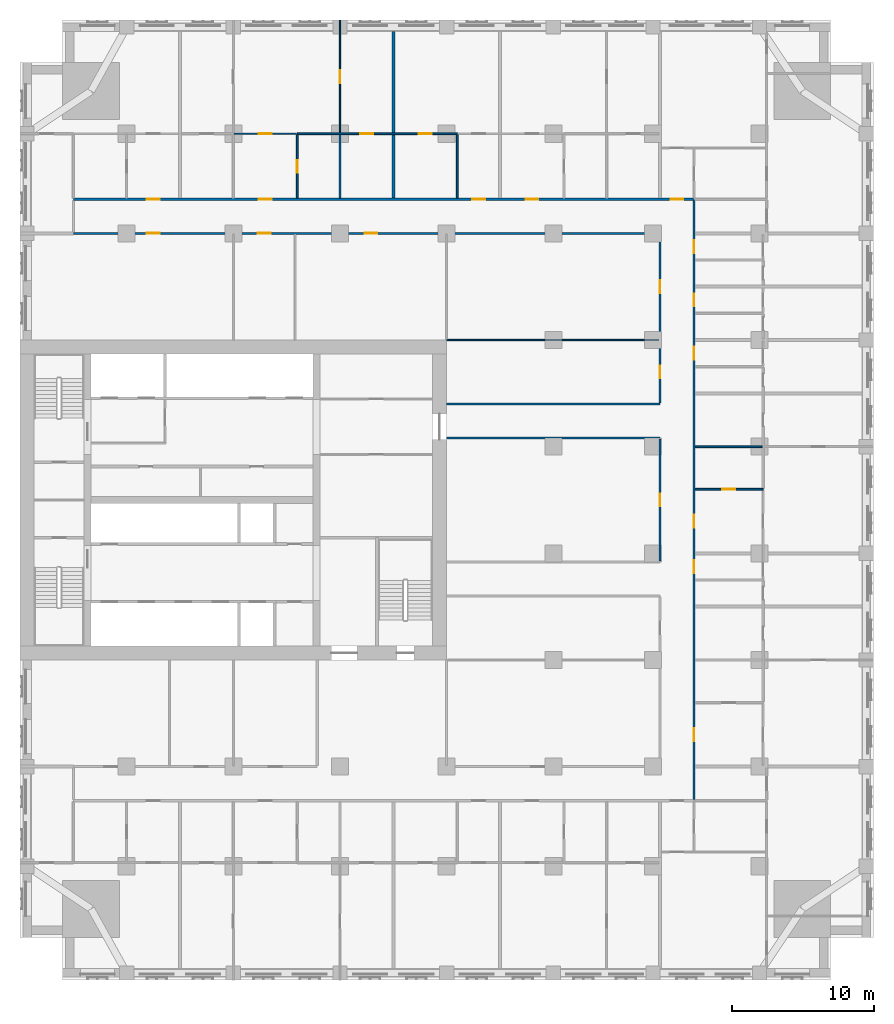
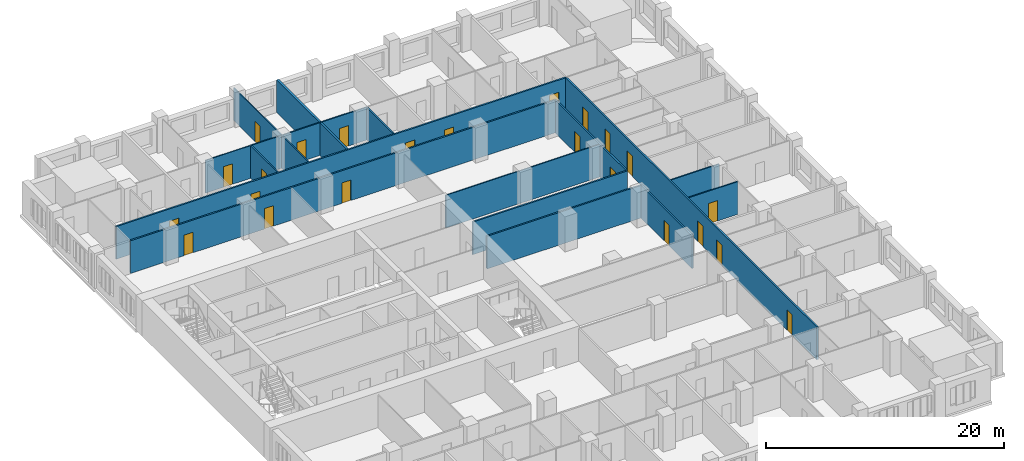
# One storey, part 9 of 14: 23 doors, 17 walls, 23 openings.
"""IFC4 building model written with IfcOpenShell, lengths in metres."""

from ifc_helpers import new_model, si_unit, direction, frame, frame_2d, origin, place, context, subcontext, project, spatial, rectangle, extrude, material, layer, layer_set, type_object, element, fill, save


model = new_model("IFC4")

# Units and contexts
model_context = context("Model", 3, precision=1e-05, world=origin(), true_north=direction((0.0, 1.0)))
body_context = subcontext(model_context, "Body", "Model", "MODEL_VIEW")
ifc_project = project(units=[si_unit("LENGTHUNIT", "METRE"), si_unit("AREAUNIT", "SQUARE_METRE"), si_unit("VOLUMEUNIT", "CUBIC_METRE"), si_unit("PLANEANGLEUNIT", "RADIAN"), si_unit("MASSUNIT", "GRAM", prefix="KILO")], contexts=[model_context])

# Site, building, storey
site_placement = place(None, origin())
site = spatial("IfcSite", under=ifc_project, at=site_placement, CompositionType="ELEMENT")
building_placement = place(site_placement, origin())
building = spatial("IfcBuilding", under=site, at=building_placement, Name="Tamorin Gate", CompositionType="ELEMENT")
storey_placement = place(building_placement, frame((0.0, 0.0, 41.199951171875)))
storey = spatial("IfcBuildingStorey", under=building, at=storey_placement, Name="L08", CompositionType="ELEMENT", Elevation=41.199951171875)

# Wall, openings, doors
ifc_material_1 = material(Name="Gypsum board partition")
ifc_layer_1 = layer(ifc_material_1, 0.14990234375)
ifc_layer_set_1 = layer_set([ifc_layer_1], Name="Corridor wall 150")
wall_type_1 = type_object("IfcWallType", Name="Corridor wall 150", PredefinedType="PARTITIONING", material=ifc_layer_set_1)
wall_1_placement = place(storey_placement, frame((33.75, 90.0, 0.0), z_axis=(0.0, 0.0, 1.0), x_axis=(1.0, 0.0, 0.0)))
wall_1 = element("IfcWall", 1, at=wall_1_placement, inside=storey, type_object=wall_type_1, Name="Corridor wall 150", PredefinedType="PARTITIONING", context=body_context, shape_type="SweptSolid", body=[
    extrude(rectangle(XDim=41.25, YDim=0.14990234375, at=frame_2d((20.625, 0.0))), origin(), (0.0, 0.0, 1.0), 3.35009765625),
])
opening_1_placement = place(wall_1_placement, frame((5.175048828125, 0.0, 0.0)))
opening_1 = element("IfcOpeningElement", 2, at=opening_1_placement, cuts=wall_1, Name="Opening DH3077", PredefinedType="OPENING", context=body_context, shape_type="SweptSolid", body=[
    extrude(rectangle(XDim=0.89990234375, YDim=2.10009765625, at=frame_2d((0.449951171875, 1.050048828125))), frame((0.0, 0.0849609375, 0.0), z_axis=(0.0, -1.0, 0.0), x_axis=(1.0, 0.0, 0.0)), (0.0, 0.0, 1.0), 0.169921875),
])
opening_2_placement = place(wall_1_placement, frame((12.97509765625, 0.0, 0.0)))
opening_2 = element("IfcOpeningElement", 3, at=opening_2_placement, cuts=wall_1, Name="Opening DH3078", PredefinedType="OPENING", context=body_context, shape_type="SweptSolid", body=[
    extrude(rectangle(XDim=0.89990234375, YDim=2.10009765625, at=frame_2d((0.449951171875, 1.050048828125))), frame((0.0, 0.0849609375, 0.0), z_axis=(0.0, -1.0, 0.0), x_axis=(1.0, 0.0, 0.0)), (0.0, 0.0, 1.0), 0.169921875),
])
opening_3_placement = place(wall_1_placement, frame((20.47509765625, 0.0, 0.0)))
opening_3 = element("IfcOpeningElement", 4, at=opening_3_placement, cuts=wall_1, Name="Opening DH3079", PredefinedType="OPENING", context=body_context, shape_type="SweptSolid", body=[
    extrude(rectangle(XDim=0.89990234375, YDim=2.10009765625, at=frame_2d((0.449951171875, 1.050048828125))), frame((0.0, 0.0849609375, 0.0), z_axis=(0.0, -1.0, 0.0), x_axis=(1.0, 0.0, 0.0)), (0.0, 0.0, 1.0), 0.169921875),
])
ifc_material_2 = material(Name="Timber door leaf", Category="wood")
door_type_1 = type_object("IfcDoorType", Name="Door 900 x 2100 FD30S", OperationType="NOTDEFINED", PredefinedType="DOOR", material=ifc_material_2)
door_1_placement = place(opening_1_placement, origin())
door_1 = element("IfcDoor", 5, at=door_1_placement, inside=storey, type_object=door_type_1, Name="Door DH3077", OperationType="SINGLE_SWING_RIGHT", OverallHeight=2.10009765625, OverallWidth=0.89990234375, PredefinedType="DOOR", context=body_context, shape_type="SweptSolid", body=[
    extrude(rectangle(XDim=0.89990234375, YDim=2.10009765625, at=frame_2d((0.449951171875, 1.050048828125))), frame((0.0, 0.02490234375, 0.0), z_axis=(0.0, -1.0, 0.0), x_axis=(1.0, 0.0, 0.0)), (0.0, 0.0, 1.0), 0.050048828125),
])
fill(opening_1, door_1)
door_2_placement = place(opening_2_placement, origin())
door_2 = element("IfcDoor", 6, at=door_2_placement, inside=storey, type_object=door_type_1, Name="Door DH3078", OperationType="SINGLE_SWING_RIGHT", OverallHeight=2.10009765625, OverallWidth=0.89990234375, PredefinedType="DOOR", context=body_context, shape_type="SweptSolid", body=[
    extrude(rectangle(XDim=0.89990234375, YDim=2.10009765625, at=frame_2d((0.449951171875, 1.050048828125))), frame((0.0, 0.02490234375, 0.0), z_axis=(0.0, -1.0, 0.0), x_axis=(1.0, 0.0, 0.0)), (0.0, 0.0, 1.0), 0.050048828125),
])
fill(opening_2, door_2)
door_3_placement = place(opening_3_placement, origin())
door_3 = element("IfcDoor", 7, at=door_3_placement, inside=storey, type_object=door_type_1, Name="Door DH3079", OperationType="SINGLE_SWING_RIGHT", OverallHeight=2.10009765625, OverallWidth=0.89990234375, PredefinedType="DOOR", context=body_context, shape_type="SweptSolid", body=[
    extrude(rectangle(XDim=0.89990234375, YDim=2.10009765625, at=frame_2d((0.449951171875, 1.050048828125))), frame((0.0, 0.02490234375, 0.0), z_axis=(0.0, -1.0, 0.0), x_axis=(1.0, 0.0, 0.0)), (0.0, 0.0, 1.0), 0.050048828125),
])
fill(opening_3, door_3)

wall_2_placement = place(storey_placement, frame((33.75, 92.39990234375, 0.0), z_axis=(0.0, 0.0, 1.0), x_axis=(1.0, 0.0, 0.0)))
wall_2 = element("IfcWall", 8, at=wall_2_placement, inside=storey, type_object=wall_type_1, Name="Corridor wall 150", PredefinedType="PARTITIONING", context=body_context, shape_type="SweptSolid", body=[
    extrude(rectangle(XDim=43.64990234375, YDim=0.14990234375, at=frame_2d((21.824951171875, 0.0))), origin(), (0.0, 0.0, 1.0), 3.35009765625),
])
opening_4_placement = place(wall_2_placement, frame((5.175048828125, 0.0, 0.0)))
opening_4 = element("IfcOpeningElement", 9, at=opening_4_placement, cuts=wall_2, Name="Opening DH3022", PredefinedType="OPENING", context=body_context, shape_type="SweptSolid", body=[
    extrude(rectangle(XDim=0.89990234375, YDim=2.10009765625, at=frame_2d((0.449951171875, 1.050048828125))), frame((0.0, 0.0849609375, 0.0), z_axis=(0.0, -1.0, 0.0), x_axis=(1.0, 0.0, 0.0)), (0.0, 0.0, 1.0), 0.169921875),
])
opening_5_placement = place(wall_2_placement, frame((13.050048828125, 0.0, 0.0)))
opening_5 = element("IfcOpeningElement", 10, at=opening_5_placement, cuts=wall_2, Name="Opening DH3025", PredefinedType="OPENING", context=body_context, shape_type="SweptSolid", body=[
    extrude(rectangle(XDim=0.89990234375, YDim=2.10009765625, at=frame_2d((0.449951171875, 1.050048828125))), frame((0.0, 0.0849609375, 0.0), z_axis=(0.0, -1.0, 0.0), x_axis=(1.0, 0.0, 0.0)), (0.0, 0.0, 1.0), 0.169921875),
])
opening_6_placement = place(wall_2_placement, frame((28.050048828125, 0.0, 0.0)))
opening_6 = element("IfcOpeningElement", 11, at=opening_6_placement, cuts=wall_2, Name="Opening DH3032", PredefinedType="OPENING", context=body_context, shape_type="SweptSolid", body=[
    extrude(rectangle(XDim=0.89990234375, YDim=2.10009765625, at=frame_2d((0.449951171875, 1.050048828125))), frame((0.0, 0.0849609375, 0.0), z_axis=(0.0, -1.0, 0.0), x_axis=(1.0, 0.0, 0.0)), (0.0, 0.0, 1.0), 0.169921875),
])
opening_7_placement = place(wall_2_placement, frame((31.800048828125, 0.0, 0.0)))
opening_7 = element("IfcOpeningElement", 12, at=opening_7_placement, cuts=wall_2, Name="Opening DH3034", PredefinedType="OPENING", context=body_context, shape_type="SweptSolid", body=[
    extrude(rectangle(XDim=0.89990234375, YDim=2.10009765625, at=frame_2d((0.449951171875, 1.050048828125))), frame((0.0, 0.0849609375, 0.0), z_axis=(0.0, -1.0, 0.0), x_axis=(1.0, 0.0, 0.0)), (0.0, 0.0, 1.0), 0.169921875),
])
opening_8_placement = place(wall_2_placement, frame((42.0, 0.0, 0.0)))
opening_8 = element("IfcOpeningElement", 13, at=opening_8_placement, cuts=wall_2, Name="Opening DH3067", PredefinedType="OPENING", context=body_context, shape_type="SweptSolid", body=[
    extrude(rectangle(XDim=0.89990234375, YDim=2.10009765625, at=frame_2d((0.449951171875, 1.050048828125))), frame((0.0, 0.0849609375, 0.0), z_axis=(0.0, -1.0, 0.0), x_axis=(1.0, 0.0, 0.0)), (0.0, 0.0, 1.0), 0.169921875),
])
door_4_placement = place(opening_4_placement, origin())
door_4 = element("IfcDoor", 14, at=door_4_placement, inside=storey, type_object=door_type_1, Name="Door DH3022", OperationType="SINGLE_SWING_LEFT", OverallHeight=2.10009765625, OverallWidth=0.89990234375, PredefinedType="DOOR", context=body_context, shape_type="SweptSolid", body=[
    extrude(rectangle(XDim=0.89990234375, YDim=2.10009765625, at=frame_2d((0.449951171875, 1.050048828125))), frame((0.0, 0.02490234375, 0.0), z_axis=(0.0, -1.0, 0.0), x_axis=(1.0, 0.0, 0.0)), (0.0, 0.0, 1.0), 0.050048828125),
])
fill(opening_4, door_4)
door_5_placement = place(opening_5_placement, origin())
door_5 = element("IfcDoor", 15, at=door_5_placement, inside=storey, type_object=door_type_1, Name="Door DH3025", OperationType="SINGLE_SWING_LEFT", OverallHeight=2.10009765625, OverallWidth=0.89990234375, PredefinedType="DOOR", context=body_context, shape_type="SweptSolid", body=[
    extrude(rectangle(XDim=0.89990234375, YDim=2.10009765625, at=frame_2d((0.449951171875, 1.050048828125))), frame((0.0, 0.02490234375, 0.0), z_axis=(0.0, -1.0, 0.0), x_axis=(1.0, 0.0, 0.0)), (0.0, 0.0, 1.0), 0.050048828125),
])
fill(opening_5, door_5)
door_6_placement = place(opening_6_placement, origin())
door_6 = element("IfcDoor", 16, at=door_6_placement, inside=storey, type_object=door_type_1, Name="Door DH3032", OperationType="SINGLE_SWING_LEFT", OverallHeight=2.10009765625, OverallWidth=0.89990234375, PredefinedType="DOOR", context=body_context, shape_type="SweptSolid", body=[
    extrude(rectangle(XDim=0.89990234375, YDim=2.10009765625, at=frame_2d((0.449951171875, 1.050048828125))), frame((0.0, 0.02490234375, 0.0), z_axis=(0.0, -1.0, 0.0), x_axis=(1.0, 0.0, 0.0)), (0.0, 0.0, 1.0), 0.050048828125),
])
fill(opening_6, door_6)
door_7_placement = place(opening_7_placement, origin())
door_7 = element("IfcDoor", 17, at=door_7_placement, inside=storey, type_object=door_type_1, Name="Door DH3034", OperationType="SINGLE_SWING_LEFT", OverallHeight=2.10009765625, OverallWidth=0.89990234375, PredefinedType="DOOR", context=body_context, shape_type="SweptSolid", body=[
    extrude(rectangle(XDim=0.89990234375, YDim=2.10009765625, at=frame_2d((0.449951171875, 1.050048828125))), frame((0.0, 0.02490234375, 0.0), z_axis=(0.0, -1.0, 0.0), x_axis=(1.0, 0.0, 0.0)), (0.0, 0.0, 1.0), 0.050048828125),
])
fill(opening_7, door_7)
door_8_placement = place(opening_8_placement, origin())
door_8 = element("IfcDoor", 18, at=door_8_placement, inside=storey, type_object=door_type_1, Name="Door DH3067", OperationType="SINGLE_SWING_RIGHT", OverallHeight=2.10009765625, OverallWidth=0.89990234375, PredefinedType="DOOR", context=body_context, shape_type="SweptSolid", body=[
    extrude(rectangle(XDim=0.89990234375, YDim=2.10009765625, at=frame_2d((0.449951171875, 1.050048828125))), frame((0.0, 0.02490234375, 0.0), z_axis=(0.0, -1.0, 0.0), x_axis=(1.0, 0.0, 0.0)), (0.0, 0.0, 1.0), 0.050048828125),
])
fill(opening_8, door_8)

# Wall, opening, door
wall_3_placement = place(storey_placement, frame((75.0, 66.97509765625, 0.0), z_axis=(0.0, 0.0, 1.0), x_axis=(0.0, 1.0, 0.0)))
wall_3 = element("IfcWall", 19, at=wall_3_placement, inside=storey, type_object=wall_type_1, Name="Corridor wall 150", PredefinedType="PARTITIONING", context=body_context, shape_type="SweptSolid", body=[
    extrude(rectangle(XDim=8.5498046875, YDim=0.14990234375, at=frame_2d((4.27490234375, 0.0))), origin(), (0.0, 0.0, 1.0), 3.35009765625),
])
opening_9_placement = place(wall_3_placement, frame((3.824951171875, 0.0, 0.0)))
opening_9 = element("IfcOpeningElement", 20, at=opening_9_placement, cuts=wall_3, Name="Opening DH3082", PredefinedType="OPENING", context=body_context, shape_type="SweptSolid", body=[
    extrude(rectangle(XDim=0.89990234375, YDim=2.10009765625, at=frame_2d((0.449951171875, 1.050048828125))), frame((0.0, 0.0849609375, 0.0), z_axis=(0.0, -1.0, 0.0), x_axis=(1.0, 0.0, 0.0)), (0.0, 0.0, 1.0), 0.169921875),
])
door_9_placement = place(opening_9_placement, origin())
door_9 = element("IfcDoor", 21, at=door_9_placement, inside=storey, type_object=door_type_1, Name="Door DH3082", OperationType="SINGLE_SWING_LEFT", OverallHeight=2.10009765625, OverallWidth=0.89990234375, PredefinedType="DOOR", context=body_context, shape_type="SweptSolid", body=[
    extrude(rectangle(XDim=0.89990234375, YDim=2.10009765625, at=frame_2d((0.449951171875, 1.050048828125))), frame((0.0, 0.02490234375, 0.0), z_axis=(0.0, -1.0, 0.0), x_axis=(1.0, 0.0, 0.0)), (0.0, 0.0, 1.0), 0.050048828125),
])
fill(opening_9, door_9)

# Wall, openings, doors
wall_4_placement = place(storey_placement, frame((75.0, 78.074951171875, 0.0), z_axis=(0.0, 0.0, 1.0), x_axis=(0.0, 1.0, 0.0)))
wall_4 = element("IfcWall", 22, at=wall_4_placement, inside=storey, type_object=wall_type_1, Name="Corridor wall 150", PredefinedType="PARTITIONING", context=body_context, shape_type="SweptSolid", body=[
    extrude(rectangle(XDim=11.85009765625, YDim=0.14990234375, at=frame_2d((5.925048828125, 0.0))), origin(), (0.0, 0.0, 1.0), 3.35009765625),
])
opening_10_placement = place(wall_4_placement, frame((7.72509765625, 0.0, 0.0)))
opening_10 = element("IfcOpeningElement", 23, at=opening_10_placement, cuts=wall_4, Name="Opening DH3080", PredefinedType="OPENING", context=body_context, shape_type="SweptSolid", body=[
    extrude(rectangle(XDim=0.89990234375, YDim=2.10009765625, at=frame_2d((0.449951171875, 1.050048828125))), frame((0.0, 0.0849609375, 0.0), z_axis=(0.0, -1.0, 0.0), x_axis=(1.0, 0.0, 0.0)), (0.0, 0.0, 1.0), 0.169921875),
])
opening_11_placement = place(wall_4_placement, frame((1.72509765625, 0.0, 0.0)))
opening_11 = element("IfcOpeningElement", 24, at=opening_11_placement, cuts=wall_4, Name="Opening DH3083", PredefinedType="OPENING", context=body_context, shape_type="SweptSolid", body=[
    extrude(rectangle(XDim=0.89990234375, YDim=2.10009765625, at=frame_2d((0.449951171875, 1.050048828125))), frame((0.0, 0.0849609375, 0.0), z_axis=(0.0, -1.0, 0.0), x_axis=(1.0, 0.0, 0.0)), (0.0, 0.0, 1.0), 0.169921875),
])
door_10_placement = place(opening_10_placement, origin())
door_10 = element("IfcDoor", 25, at=door_10_placement, inside=storey, type_object=door_type_1, Name="Door DH3080", OperationType="SINGLE_SWING_LEFT", OverallHeight=2.10009765625, OverallWidth=0.89990234375, PredefinedType="DOOR", context=body_context, shape_type="SweptSolid", body=[
    extrude(rectangle(XDim=0.89990234375, YDim=2.10009765625, at=frame_2d((0.449951171875, 1.050048828125))), frame((0.0, 0.02490234375, 0.0), z_axis=(0.0, -1.0, 0.0), x_axis=(1.0, 0.0, 0.0)), (0.0, 0.0, 1.0), 0.050048828125),
])
fill(opening_10, door_10)
door_11_placement = place(opening_11_placement, origin())
door_11 = element("IfcDoor", 26, at=door_11_placement, inside=storey, type_object=door_type_1, Name="Door DH3083", OperationType="SINGLE_SWING_LEFT", OverallHeight=2.10009765625, OverallWidth=0.89990234375, PredefinedType="DOOR", context=body_context, shape_type="SweptSolid", body=[
    extrude(rectangle(XDim=0.89990234375, YDim=2.10009765625, at=frame_2d((0.449951171875, 1.050048828125))), frame((0.0, 0.02490234375, 0.0), z_axis=(0.0, -1.0, 0.0), x_axis=(1.0, 0.0, 0.0)), (0.0, 0.0, 1.0), 0.050048828125),
])
fill(opening_11, door_11)

wall_5_placement = place(storey_placement, frame((77.39990234375, 50.175048828125, 0.0), z_axis=(0.0, 0.0, 1.0), x_axis=(0.0, 1.0, 0.0)))
wall_5 = element("IfcWall", 27, at=wall_5_placement, inside=storey, type_object=wall_type_1, Name="Corridor wall 150", PredefinedType="PARTITIONING", context=body_context, shape_type="SweptSolid", body=[
    extrude(rectangle(XDim=42.14990234375, YDim=0.14990234375, at=frame_2d((21.074951171875, 0.0))), origin(), (0.0, 0.0, 1.0), 3.35009765625),
])
opening_12_placement = place(wall_5_placement, frame((4.125, 0.0, 0.0)))
opening_12 = element("IfcOpeningElement", 28, at=opening_12_placement, cuts=wall_5, Name="Opening DH3039", PredefinedType="OPENING", context=body_context, shape_type="SweptSolid", body=[
    extrude(rectangle(XDim=0.89990234375, YDim=2.10009765625, at=frame_2d((0.449951171875, 1.050048828125))), frame((0.0, 0.0849609375, 0.0), z_axis=(0.0, -1.0, 0.0), x_axis=(1.0, 0.0, 0.0)), (0.0, 0.0, 1.0), 0.169921875),
])
opening_13_placement = place(wall_5_placement, frame((15.9375, 0.0, 0.0)))
opening_13 = element("IfcOpeningElement", 29, at=opening_13_placement, cuts=wall_5, Name="Opening DH3045", PredefinedType="OPENING", context=body_context, shape_type="SweptSolid", body=[
    extrude(rectangle(XDim=0.89990234375, YDim=2.10009765625, at=frame_2d((0.449951171875, 1.050048828125))), frame((0.0, 0.0849609375, 0.0), z_axis=(0.0, -1.0, 0.0), x_axis=(1.0, 0.0, 0.0)), (0.0, 0.0, 1.0), 0.169921875),
])
opening_14_placement = place(wall_5_placement, frame((19.125, 0.0, 0.0)))
opening_14 = element("IfcOpeningElement", 30, at=opening_14_placement, cuts=wall_5, Name="Opening DH3047", PredefinedType="OPENING", context=body_context, shape_type="SweptSolid", body=[
    extrude(rectangle(XDim=0.89990234375, YDim=2.10009765625, at=frame_2d((0.449951171875, 1.050048828125))), frame((0.0, 0.0849609375, 0.0), z_axis=(0.0, -1.0, 0.0), x_axis=(1.0, 0.0, 0.0)), (0.0, 0.0, 1.0), 0.169921875),
])
opening_15_placement = place(wall_5_placement, frame((30.9375, 0.0, 0.0)))
opening_15 = element("IfcOpeningElement", 31, at=opening_15_placement, cuts=wall_5, Name="Opening DH3053", PredefinedType="OPENING", context=body_context, shape_type="SweptSolid", body=[
    extrude(rectangle(XDim=0.89990234375, YDim=2.10009765625, at=frame_2d((0.449951171875, 1.050048828125))), frame((0.0, 0.0849609375, 0.0), z_axis=(0.0, -1.0, 0.0), x_axis=(1.0, 0.0, 0.0)), (0.0, 0.0, 1.0), 0.169921875),
])
opening_16_placement = place(wall_5_placement, frame((34.6875, 0.0, 0.0)))
opening_16 = element("IfcOpeningElement", 32, at=opening_16_placement, cuts=wall_5, Name="Opening DH3056", PredefinedType="OPENING", context=body_context, shape_type="SweptSolid", body=[
    extrude(rectangle(XDim=0.89990234375, YDim=2.10009765625, at=frame_2d((0.449951171875, 1.050048828125))), frame((0.0, 0.0849609375, 0.0), z_axis=(0.0, -1.0, 0.0), x_axis=(1.0, 0.0, 0.0)), (0.0, 0.0, 1.0), 0.169921875),
])
opening_17_placement = place(wall_5_placement, frame((38.4375, 0.0, 0.0)))
opening_17 = element("IfcOpeningElement", 33, at=opening_17_placement, cuts=wall_5, Name="Opening DH3059", PredefinedType="OPENING", context=body_context, shape_type="SweptSolid", body=[
    extrude(rectangle(XDim=0.89990234375, YDim=2.10009765625, at=frame_2d((0.449951171875, 1.050048828125))), frame((0.0, 0.0849609375, 0.0), z_axis=(0.0, -1.0, 0.0), x_axis=(1.0, 0.0, 0.0)), (0.0, 0.0, 1.0), 0.169921875),
])
door_12_placement = place(opening_12_placement, origin())
door_12 = element("IfcDoor", 34, at=door_12_placement, inside=storey, type_object=door_type_1, Name="Door DH3039", OperationType="SINGLE_SWING_RIGHT", OverallHeight=2.10009765625, OverallWidth=0.89990234375, PredefinedType="DOOR", context=body_context, shape_type="SweptSolid", body=[
    extrude(rectangle(XDim=0.89990234375, YDim=2.10009765625, at=frame_2d((0.449951171875, 1.050048828125))), frame((0.0, 0.02490234375, 0.0), z_axis=(0.0, -1.0, 0.0), x_axis=(1.0, 0.0, 0.0)), (0.0, 0.0, 1.0), 0.050048828125),
])
fill(opening_12, door_12)
door_13_placement = place(opening_13_placement, origin())
door_13 = element("IfcDoor", 35, at=door_13_placement, inside=storey, type_object=door_type_1, Name="Door DH3045", OperationType="SINGLE_SWING_RIGHT", OverallHeight=2.10009765625, OverallWidth=0.89990234375, PredefinedType="DOOR", context=body_context, shape_type="SweptSolid", body=[
    extrude(rectangle(XDim=0.89990234375, YDim=2.10009765625, at=frame_2d((0.449951171875, 1.050048828125))), frame((0.0, 0.02490234375, 0.0), z_axis=(0.0, -1.0, 0.0), x_axis=(1.0, 0.0, 0.0)), (0.0, 0.0, 1.0), 0.050048828125),
])
fill(opening_13, door_13)
door_14_placement = place(opening_14_placement, origin())
door_14 = element("IfcDoor", 36, at=door_14_placement, inside=storey, type_object=door_type_1, Name="Door DH3047", OperationType="SINGLE_SWING_RIGHT", OverallHeight=2.10009765625, OverallWidth=0.89990234375, PredefinedType="DOOR", context=body_context, shape_type="SweptSolid", body=[
    extrude(rectangle(XDim=0.89990234375, YDim=2.10009765625, at=frame_2d((0.449951171875, 1.050048828125))), frame((0.0, 0.02490234375, 0.0), z_axis=(0.0, -1.0, 0.0), x_axis=(1.0, 0.0, 0.0)), (0.0, 0.0, 1.0), 0.050048828125),
])
fill(opening_14, door_14)
door_15_placement = place(opening_15_placement, origin())
door_15 = element("IfcDoor", 37, at=door_15_placement, inside=storey, type_object=door_type_1, Name="Door DH3053", OperationType="SINGLE_SWING_RIGHT", OverallHeight=2.10009765625, OverallWidth=0.89990234375, PredefinedType="DOOR", context=body_context, shape_type="SweptSolid", body=[
    extrude(rectangle(XDim=0.89990234375, YDim=2.10009765625, at=frame_2d((0.449951171875, 1.050048828125))), frame((0.0, 0.02490234375, 0.0), z_axis=(0.0, -1.0, 0.0), x_axis=(1.0, 0.0, 0.0)), (0.0, 0.0, 1.0), 0.050048828125),
])
fill(opening_15, door_15)
door_16_placement = place(opening_16_placement, origin())
door_16 = element("IfcDoor", 38, at=door_16_placement, inside=storey, type_object=door_type_1, Name="Door DH3056", OperationType="SINGLE_SWING_RIGHT", OverallHeight=2.10009765625, OverallWidth=0.89990234375, PredefinedType="DOOR", context=body_context, shape_type="SweptSolid", body=[
    extrude(rectangle(XDim=0.89990234375, YDim=2.10009765625, at=frame_2d((0.449951171875, 1.050048828125))), frame((0.0, 0.02490234375, 0.0), z_axis=(0.0, -1.0, 0.0), x_axis=(1.0, 0.0, 0.0)), (0.0, 0.0, 1.0), 0.050048828125),
])
fill(opening_16, door_16)
door_17_placement = place(opening_17_placement, origin())
door_17 = element("IfcDoor", 39, at=door_17_placement, inside=storey, type_object=door_type_1, Name="Door DH3059", OperationType="SINGLE_SWING_RIGHT", OverallHeight=2.10009765625, OverallWidth=0.89990234375, PredefinedType="DOOR", context=body_context, shape_type="SweptSolid", body=[
    extrude(rectangle(XDim=0.89990234375, YDim=2.10009765625, at=frame_2d((0.449951171875, 1.050048828125))), frame((0.0, 0.02490234375, 0.0), z_axis=(0.0, -1.0, 0.0), x_axis=(1.0, 0.0, 0.0)), (0.0, 0.0, 1.0), 0.050048828125),
])
fill(opening_17, door_17)

# Walls
ifc_layer_2 = layer(ifc_material_1, 0.199951171875)
ifc_layer_set_2 = layer_set([ifc_layer_2], Name="Demising wall 200")
wall_type_2 = type_object("IfcWallType", Name="Demising wall 200", PredefinedType="PARTITIONING", material=ifc_layer_set_2)
wall_6_placement = place(storey_placement, frame((56.25, 92.47509765625, 0.0), z_axis=(0.0, 0.0, 1.0), x_axis=(0.0, 1.0, 0.0)))
element("IfcWall", 40, at=wall_6_placement, inside=storey, type_object=wall_type_2, Name="Demising wall 200", PredefinedType="PARTITIONING", context=body_context, shape_type="SweptSolid", body=[
    extrude(rectangle(XDim=11.71484375, YDim=0.199951171875, at=frame_2d((5.857421875, 0.0))), origin(), (0.0, 0.0, 1.0), 3.35009765625),
])
ifc_layer_3 = layer(ifc_material_1, 0.14990234375)
ifc_layer_set_3 = layer_set([ifc_layer_3], Name="Lobby wall 150")
wall_type_3 = type_object("IfcWallType", Name="Lobby wall 150", PredefinedType="PARTITIONING", material=ifc_layer_set_3)
for number, where, z_axis, x_axis, name in (
    (41, (60.0, 75.60009765625, 0.0), (0.0, 0.0, 1.0), (1.0, 0.0, 0.0), "Lobby wall 150"),
    (42, (60.0, 78.0, 0.0), (0.0, 0.0, 1.0), (1.0, 0.0, 0.0), "Lobby wall 150"),
):
    element("IfcWall", number, at=place(storey_placement, frame(where, z_axis=z_axis, x_axis=x_axis)), inside=storey, type_object=wall_type_3, Name=name, PredefinedType="PARTITIONING", context=body_context, shape_type="SweptSolid", body=[
        extrude(rectangle(XDim=15.0, YDim=0.14990234375, at=frame_2d((7.5, 0.0))), origin(), (0.0, 0.0, 1.0), 3.35009765625),
    ])
ifc_layer_4 = layer(ifc_material_1, 0.10009765625)
ifc_layer_set_4 = layer_set([ifc_layer_4], Name="Room partition 100")
wall_type_4 = type_object("IfcWallType", Name="Room partition 100", PredefinedType="PARTITIONING", material=ifc_layer_set_4)
wall_7_placement = place(storey_placement, frame((60.0, 82.5, 0.0), z_axis=(0.0, 0.0, 1.0), x_axis=(1.0, 0.0, 0.0)))
element("IfcWall", 43, at=wall_7_placement, inside=storey, type_object=wall_type_4, Name="Room partition 100", PredefinedType="PARTITIONING", context=body_context, shape_type="SweptSolid", body=[
    extrude(rectangle(XDim=14.925048828125, YDim=0.10009765625, at=frame_2d((7.46240234375, 0.0))), origin(), (0.0, 0.0, 1.0), 3.35009765625),
])

# Wall, opening, door
wall_8_placement = place(storey_placement, frame((45.0625, 97.0, 0.0), z_axis=(0.0, 0.0, 1.0), x_axis=(1.0, 0.0, 0.0)))
wall_8 = element("IfcWall", 44, at=wall_8_placement, inside=storey, type_object=wall_type_4, Name="Room partition 100", PredefinedType="PARTITIONING", context=body_context, shape_type="SweptSolid", body=[
    extrude(rectangle(XDim=4.375, YDim=0.10009765625, at=frame_2d((2.1875, 0.0))), origin(), (0.0, 0.0, 1.0), 3.35009765625),
])
opening_18_placement = place(wall_8_placement, frame((1.737548828125, 0.0, 0.0)))
opening_18 = element("IfcOpeningElement", 45, at=opening_18_placement, cuts=wall_8, Name="Opening DH3026", PredefinedType="OPENING", context=body_context, shape_type="SweptSolid", body=[
    extrude(rectangle(XDim=0.89990234375, YDim=2.10009765625, at=frame_2d((0.449951171875, 1.050048828125))), frame((0.0, 0.06005859375, 0.0), z_axis=(0.0, -1.0, 0.0), x_axis=(1.0, 0.0, 0.0)), (0.0, 0.0, 1.0), 0.1201171875),
])
door_type_2 = type_object("IfcDoorType", Name="Door 900 x 2100", OperationType="NOTDEFINED", PredefinedType="DOOR", material=ifc_material_2)
door_18_placement = place(opening_18_placement, origin())
door_18 = element("IfcDoor", 46, at=door_18_placement, inside=storey, type_object=door_type_2, Name="Door DH3026", OperationType="SINGLE_SWING_RIGHT", OverallHeight=2.10009765625, OverallWidth=0.89990234375, PredefinedType="DOOR", context=body_context, shape_type="SweptSolid", body=[
    extrude(rectangle(XDim=0.89990234375, YDim=2.10009765625, at=frame_2d((0.449951171875, 1.050048828125))), frame((0.0, 0.02490234375, 0.0), z_axis=(0.0, -1.0, 0.0), x_axis=(1.0, 0.0, 0.0)), (0.0, 0.0, 1.0), 0.050048828125),
])
fill(opening_18, door_18)

wall_9_placement = place(storey_placement, frame((52.5, 97.0625, 0.0), z_axis=(0.0, 0.0, 1.0), x_axis=(0.0, 1.0, 0.0)))
wall_9 = element("IfcWall", 47, at=wall_9_placement, inside=storey, type_object=wall_type_4, Name="Room partition 100", PredefinedType="PARTITIONING", context=body_context, shape_type="SweptSolid", body=[
    extrude(rectangle(XDim=7.9375, YDim=0.10009765625, at=frame_2d((3.96875, 0.0))), origin(), (0.0, 0.0, 1.0), 3.35009765625),
])
opening_19_placement = place(wall_9_placement, frame((3.487548828125, 0.0, 0.0)))
opening_19 = element("IfcOpeningElement", 48, at=opening_19_placement, cuts=wall_9, Name="Opening DH3030", PredefinedType="OPENING", context=body_context, shape_type="SweptSolid", body=[
    extrude(rectangle(XDim=0.89990234375, YDim=2.10009765625, at=frame_2d((0.449951171875, 1.050048828125))), frame((0.0, 0.06005859375, 0.0), z_axis=(0.0, -1.0, 0.0), x_axis=(1.0, 0.0, 0.0)), (0.0, 0.0, 1.0), 0.1201171875),
])
door_19_placement = place(opening_19_placement, origin())
door_19 = element("IfcDoor", 49, at=door_19_placement, inside=storey, type_object=door_type_2, Name="Door DH3030", OperationType="SINGLE_SWING_LEFT", OverallHeight=2.10009765625, OverallWidth=0.89990234375, PredefinedType="DOOR", context=body_context, shape_type="SweptSolid", body=[
    extrude(rectangle(XDim=0.89990234375, YDim=2.10009765625, at=frame_2d((0.449951171875, 1.050048828125))), frame((0.0, 0.02490234375, 0.0), z_axis=(0.0, -1.0, 0.0), x_axis=(1.0, 0.0, 0.0)), (0.0, 0.0, 1.0), 0.050048828125),
])
fill(opening_19, door_19)

ifc_layer_5 = layer(ifc_material_1, 0.125)
ifc_layer_set_5 = layer_set([ifc_layer_5], Name="Wet wall 125")
wall_type_5 = type_object("IfcWallType", Name="Wet wall 125", PredefinedType="PARTITIONING", material=ifc_layer_set_5)
wall_10_placement = place(storey_placement, frame((77.47509765625, 72.0, 0.0), z_axis=(0.0, 0.0, 1.0), x_axis=(1.0, 0.0, 0.0)))
wall_10 = element("IfcWall", 50, at=wall_10_placement, inside=storey, type_object=wall_type_5, Name="Wet wall 125", PredefinedType="PARTITIONING", context=body_context, shape_type="SweptSolid", body=[
    extrude(rectangle(XDim=4.77490234375, YDim=0.125, at=frame_2d((2.387451171875, 0.0))), origin(), (0.0, 0.0, 1.0), 3.35009765625),
])
opening_20_placement = place(wall_10_placement, frame((1.89990234375, 0.0, 0.0)))
opening_20 = element("IfcOpeningElement", 51, at=opening_20_placement, cuts=wall_10, Name="Opening DH3049", PredefinedType="OPENING", context=body_context, shape_type="SweptSolid", body=[
    extrude(rectangle(XDim=0.89990234375, YDim=2.10009765625, at=frame_2d((0.449951171875, 1.050048828125))), frame((0.0, 0.072509765625, 0.0), z_axis=(0.0, -1.0, 0.0), x_axis=(1.0, 0.0, 0.0)), (0.0, 0.0, 1.0), 0.14501953125),
])
door_20_placement = place(opening_20_placement, origin())
door_20 = element("IfcDoor", 52, at=door_20_placement, inside=storey, type_object=door_type_2, Name="Door DH3049", OperationType="SINGLE_SWING_RIGHT", OverallHeight=2.10009765625, OverallWidth=0.89990234375, PredefinedType="DOOR", context=body_context, shape_type="SweptSolid", body=[
    extrude(rectangle(XDim=0.89990234375, YDim=2.10009765625, at=frame_2d((0.449951171875, 1.050048828125))), frame((0.0, 0.02490234375, 0.0), z_axis=(0.0, -1.0, 0.0), x_axis=(1.0, 0.0, 0.0)), (0.0, 0.0, 1.0), 0.050048828125),
])
fill(opening_20, door_20)

# Wall
wall_11_placement = place(storey_placement, frame((77.47509765625, 75.0, 0.0), z_axis=(0.0, 0.0, 1.0), x_axis=(1.0, 0.0, 0.0)))
element("IfcWall", 53, at=wall_11_placement, inside=storey, type_object=wall_type_5, Name="Wet wall 125", PredefinedType="PARTITIONING", context=body_context, shape_type="SweptSolid", body=[
    extrude(rectangle(XDim=4.71240234375, YDim=0.125, at=frame_2d((2.356201171875, 0.0))), origin(), (0.0, 0.0, 1.0), 3.35009765625),
])

# Wall, openings, doors
wall_12_placement = place(storey_placement, frame((49.5, 97.0, 0.0), z_axis=(0.0, 0.0, 1.0), x_axis=(1.0, 0.0, 0.0)))
wall_12 = element("IfcWall", 54, at=wall_12_placement, inside=storey, type_object=wall_type_5, Name="Wet wall 125", PredefinedType="PARTITIONING", context=body_context, shape_type="SweptSolid", body=[
    extrude(rectangle(XDim=11.25, YDim=0.125, at=frame_2d((5.625, 0.0))), origin(), (0.0, 0.0, 1.0), 3.35009765625),
])
opening_21_placement = place(wall_12_placement, frame((4.425048828125, 0.0, 0.0)))
opening_21 = element("IfcOpeningElement", 55, at=opening_21_placement, cuts=wall_12, Name="Opening DH3028", PredefinedType="OPENING", context=body_context, shape_type="SweptSolid", body=[
    extrude(rectangle(XDim=0.89990234375, YDim=2.10009765625, at=frame_2d((0.449951171875, 1.050048828125))), frame((0.0, 0.072509765625, 0.0), z_axis=(0.0, -1.0, 0.0), x_axis=(1.0, 0.0, 0.0)), (0.0, 0.0, 1.0), 0.14501953125),
])
opening_22_placement = place(wall_12_placement, frame((8.550048828125, 0.0, 0.0)))
opening_22 = element("IfcOpeningElement", 56, at=opening_22_placement, cuts=wall_12, Name="Opening DH3031", PredefinedType="OPENING", context=body_context, shape_type="SweptSolid", body=[
    extrude(rectangle(XDim=0.89990234375, YDim=2.10009765625, at=frame_2d((0.449951171875, 1.050048828125))), frame((0.0, 0.072509765625, 0.0), z_axis=(0.0, -1.0, 0.0), x_axis=(1.0, 0.0, 0.0)), (0.0, 0.0, 1.0), 0.14501953125),
])
door_21_placement = place(opening_21_placement, origin())
door_21 = element("IfcDoor", 57, at=door_21_placement, inside=storey, type_object=door_type_2, Name="Door DH3028", OperationType="SINGLE_SWING_RIGHT", OverallHeight=2.10009765625, OverallWidth=0.89990234375, PredefinedType="DOOR", context=body_context, shape_type="SweptSolid", body=[
    extrude(rectangle(XDim=0.89990234375, YDim=2.10009765625, at=frame_2d((0.449951171875, 1.050048828125))), frame((0.0, 0.02490234375, 0.0), z_axis=(0.0, -1.0, 0.0), x_axis=(1.0, 0.0, 0.0)), (0.0, 0.0, 1.0), 0.050048828125),
])
fill(opening_21, door_21)
door_22_placement = place(opening_22_placement, origin())
door_22 = element("IfcDoor", 58, at=door_22_placement, inside=storey, type_object=door_type_2, Name="Door DH3031", OperationType="SINGLE_SWING_RIGHT", OverallHeight=2.10009765625, OverallWidth=0.89990234375, PredefinedType="DOOR", context=body_context, shape_type="SweptSolid", body=[
    extrude(rectangle(XDim=0.89990234375, YDim=2.10009765625, at=frame_2d((0.449951171875, 1.050048828125))), frame((0.0, 0.02490234375, 0.0), z_axis=(0.0, -1.0, 0.0), x_axis=(1.0, 0.0, 0.0)), (0.0, 0.0, 1.0), 0.050048828125),
])
fill(opening_22, door_22)

# Wall, opening, door
wall_13_placement = place(storey_placement, frame((49.5, 92.47509765625, 0.0), z_axis=(0.0, 0.0, 1.0), x_axis=(0.0, 1.0, 0.0)))
wall_13 = element("IfcWall", 59, at=wall_13_placement, inside=storey, type_object=wall_type_5, Name="Wet wall 125", PredefinedType="PARTITIONING", context=body_context, shape_type="SweptSolid", body=[
    extrude(rectangle(XDim=4.46240234375, YDim=0.125, at=frame_2d((2.231201171875, 0.0))), origin(), (0.0, 0.0, 1.0), 3.35009765625),
])
opening_23_placement = place(wall_13_placement, frame((1.77490234375, 0.0, 0.0)))
opening_23 = element("IfcOpeningElement", 60, at=opening_23_placement, cuts=wall_13, Name="Opening DH3027", PredefinedType="OPENING", context=body_context, shape_type="SweptSolid", body=[
    extrude(rectangle(XDim=0.89990234375, YDim=2.10009765625, at=frame_2d((0.449951171875, 1.050048828125))), frame((0.0, 0.072509765625, 0.0), z_axis=(0.0, -1.0, 0.0), x_axis=(1.0, 0.0, 0.0)), (0.0, 0.0, 1.0), 0.14501953125),
])
door_23_placement = place(opening_23_placement, origin())
door_23 = element("IfcDoor", 61, at=door_23_placement, inside=storey, type_object=door_type_2, Name="Door DH3027", OperationType="SINGLE_SWING_LEFT", OverallHeight=2.10009765625, OverallWidth=0.89990234375, PredefinedType="DOOR", context=body_context, shape_type="SweptSolid", body=[
    extrude(rectangle(XDim=0.89990234375, YDim=2.10009765625, at=frame_2d((0.449951171875, 1.050048828125))), frame((0.0, 0.02490234375, 0.0), z_axis=(0.0, -1.0, 0.0), x_axis=(1.0, 0.0, 0.0)), (0.0, 0.0, 1.0), 0.050048828125),
])
fill(opening_23, door_23)

# Walls
for number, where, z_axis, x_axis, name in (
    (62, (52.5, 92.47509765625, 0.0), (0.0, 0.0, 1.0), (0.0, 1.0, 0.0), "Wet wall 125"),
    (63, (60.75, 92.47509765625, 0.0), (0.0, 0.0, 1.0), (0.0, 1.0, 0.0), "Wet wall 125"),
):
    element("IfcWall", number, at=place(storey_placement, frame(where, z_axis=z_axis, x_axis=x_axis)), inside=storey, type_object=wall_type_5, Name=name, PredefinedType="PARTITIONING", context=body_context, shape_type="SweptSolid", body=[
        extrude(rectangle(XDim=4.46240234375, YDim=0.125, at=frame_2d((2.231201171875, 0.0))), origin(), (0.0, 0.0, 1.0), 3.35009765625),
    ])

save(model, "model.ifc")
